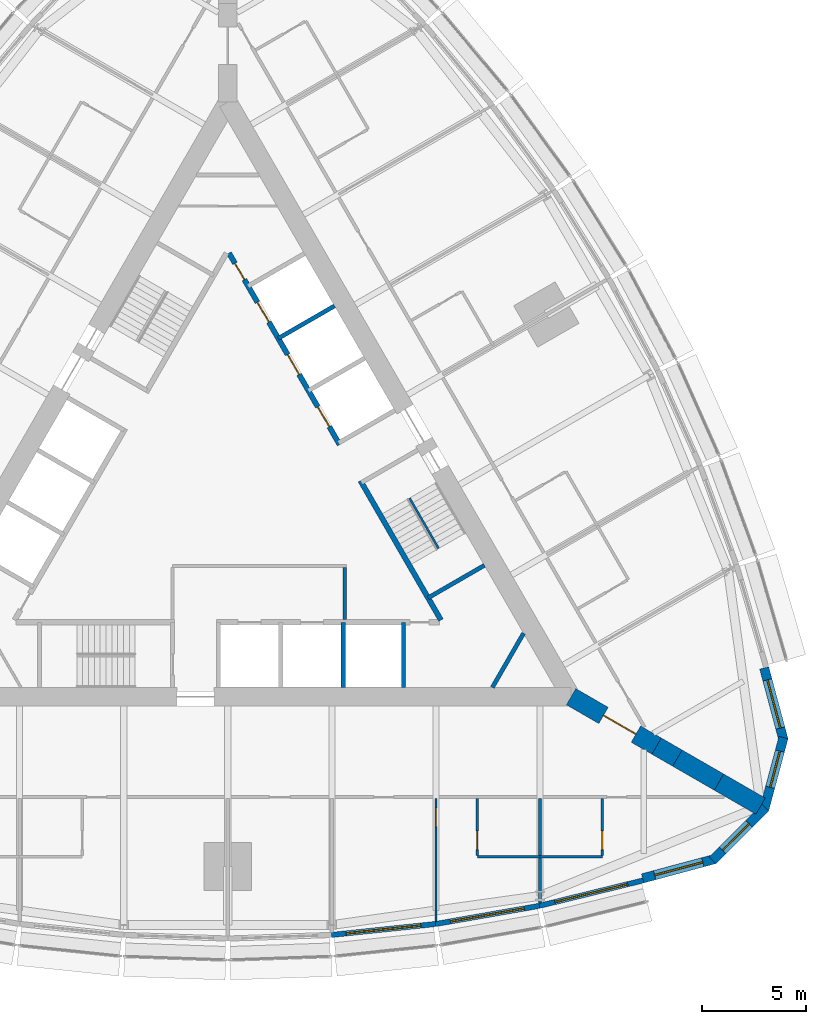
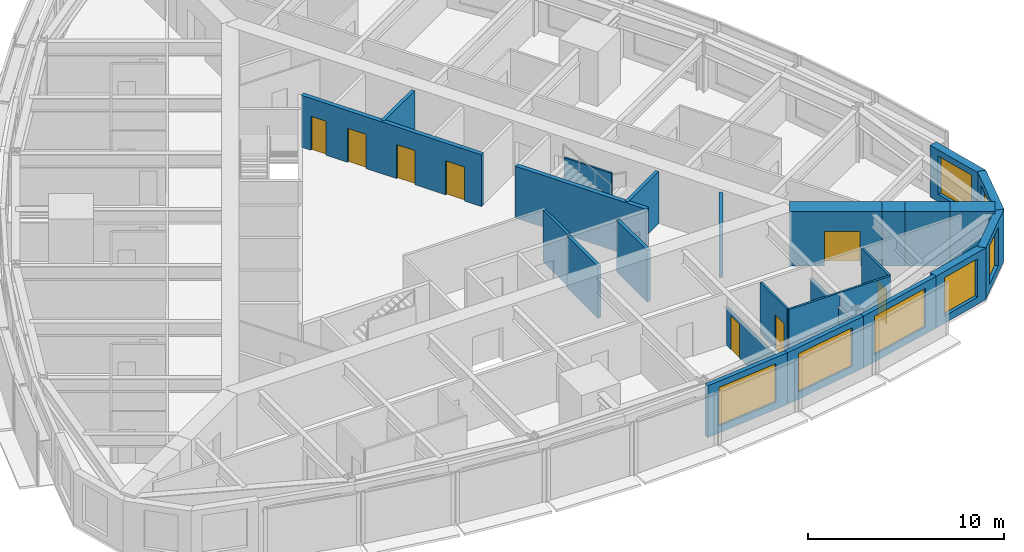
# One storey, part 10 of 14: 26 walls, 8 doors, 7 windows, 15 openings.
"""IFC4 building model written with IfcOpenShell, lengths in metres."""

from ifc_helpers import new_model, si_unit, direction, frame, frame_2d, origin, place, context, subcontext, project, spatial, polyline, rectangle, outline, extrude, material, layer, layer_set, type_object, element, fill, save


model = new_model("IFC4")

# Units and contexts
model_context = context("Model", 3, precision=1e-05, world=origin(), true_north=direction((0.0, 1.0)))
body_context = subcontext(model_context, "Body", "Model", "MODEL_VIEW")
ifc_project = project(units=[si_unit("LENGTHUNIT", "METRE"), si_unit("AREAUNIT", "SQUARE_METRE"), si_unit("VOLUMEUNIT", "CUBIC_METRE"), si_unit("PLANEANGLEUNIT", "RADIAN"), si_unit("MASSUNIT", "GRAM", prefix="KILO")], contexts=[model_context])

# Site, building, storey
site_placement = place(None, origin())
site = spatial("IfcSite", under=ifc_project, at=site_placement, CompositionType="ELEMENT")
building_placement = place(site_placement, origin())
building = spatial("IfcBuilding", under=site, at=building_placement, Name="Trikona Tower", CompositionType="ELEMENT")
storey_placement = place(building_placement, frame((0.0, 0.0, 182.699951171875)))
storey = spatial("IfcBuildingStorey", under=building, at=storey_placement, Name="L49", CompositionType="ELEMENT", Elevation=182.699951171875)

# Wall
ifc_material_1 = material(Name="Metal stud and cement board", Category="gypsum")
ifc_layer_1 = layer(ifc_material_1, 0.1201171875)
ifc_layer_set_1 = layer_set([ifc_layer_1], Name="Bathroom wall 120")
wall_type_1 = type_object("IfcWallType", Name="Bathroom wall 120", PredefinedType="PLUMBINGWALL", material=ifc_layer_set_1)
wall_1_placement = place(storey_placement, frame((12.0, -17.226318359375, 0.0), z_axis=(0.0, 0.0, 1.0), x_axis=(1.0, 0.0, 0.0)))
element("IfcWall", 1, at=wall_1_placement, inside=storey, type_object=wall_type_1, Name="Bathroom wall 4903.1", PredefinedType="PLUMBINGWALL", context=body_context, shape_type="SweptSolid", body=[
    extrude(rectangle(XDim=3.0, YDim=0.1201171875, at=frame_2d((1.5, 0.0))), origin(), (0.0, 0.0, 1.0), 3.235107421875),
])

# Wall, opening, door
wall_2_placement = place(storey_placement, frame((12.0, -14.42626953125, 0.0), z_axis=(0.0, 0.0, 1.0), x_axis=(0.0, -1.0, 0.0)))
wall_2 = element("IfcWall", 2, at=wall_2_placement, inside=storey, type_object=wall_type_1, Name="Bathroom wall 4903.1", PredefinedType="PLUMBINGWALL", context=body_context, shape_type="SweptSolid", body=[
    extrude(rectangle(XDim=2.739990234375, YDim=0.1201171875, at=frame_2d((1.3701171875, 0.0))), origin(), (0.0, 0.0, 1.0), 3.235107421875),
])
opening_1_placement = place(wall_2_placement, frame((1.550048828125, 0.0, 0.0)))
opening_1 = element("IfcOpeningElement", 3, at=opening_1_placement, cuts=wall_2, Name="Opening D2", PredefinedType="OPENING", context=body_context, shape_type="SweptSolid", body=[
    extrude(rectangle(XDim=0.89990234375, YDim=2.1298828125, at=frame_2d((0.449951171875, 1.06494140625))), frame((0.0, 0.070068359375, 0.0), z_axis=(0.0, -1.0, 0.0), x_axis=(1.0, 0.0, 0.0)), (0.0, 0.0, 1.0), 0.14013671875),
])
ifc_material_2 = material(Name="Steel door frame with solid-core timber leaf", Category="steel")
door_type_1 = type_object("IfcDoorType", Name="Bathroom door 900x2130", OperationType="SLIDING_TO_LEFT", PredefinedType="DOOR", material=ifc_material_2)
door_1_placement = place(opening_1_placement, origin())
door_1 = element("IfcDoor", 4, at=door_1_placement, inside=storey, type_object=door_type_1, Name="Bathroom door 4903.1", OperationType="SLIDING_TO_LEFT", OverallHeight=2.1298828125, OverallWidth=0.89990234375, PredefinedType="DOOR", context=body_context, shape_type="SweptSolid", body=[
    extrude(rectangle(XDim=0.89990234375, YDim=2.1298828125, at=frame_2d((0.449951171875, 1.06494140625))), frame((0.0, 0.02490234375, 0.0), z_axis=(0.0, -1.0, 0.0), x_axis=(1.0, 0.0, 0.0)), (0.0, 0.0, 1.0), 0.050048828125),
])
fill(opening_1, door_1)

# Wall
wall_3_placement = place(storey_placement, frame((15.0, -17.226318359375, 0.0), z_axis=(0.0, 0.0, 1.0), x_axis=(1.0, 0.0, 0.0)))
element("IfcWall", 5, at=wall_3_placement, inside=storey, type_object=wall_type_1, Name="Bathroom wall 4904", PredefinedType="PLUMBINGWALL", context=body_context, shape_type="SweptSolid", body=[
    extrude(rectangle(XDim=3.0, YDim=0.1201171875, at=frame_2d((1.5, 0.0))), origin(), (0.0, 0.0, 1.0), 3.235107421875),
])

# Wall, opening, door
wall_4_placement = place(storey_placement, frame((18.0, -14.42626953125, 0.0), z_axis=(0.0, 0.0, 1.0), x_axis=(0.0, -1.0, 0.0)))
wall_4 = element("IfcWall", 6, at=wall_4_placement, inside=storey, type_object=wall_type_1, Name="Bathroom wall 4904", PredefinedType="PLUMBINGWALL", context=body_context, shape_type="SweptSolid", body=[
    extrude(rectangle(XDim=2.739990234375, YDim=0.1201171875, at=frame_2d((1.3701171875, 0.0))), origin(), (0.0, 0.0, 1.0), 3.235107421875),
])
opening_2_placement = place(wall_4_placement, frame((1.550048828125, 0.0, 0.0)))
opening_2 = element("IfcOpeningElement", 7, at=opening_2_placement, cuts=wall_4, Name="Opening D2", PredefinedType="OPENING", context=body_context, shape_type="SweptSolid", body=[
    extrude(rectangle(XDim=0.89990234375, YDim=2.1298828125, at=frame_2d((0.449951171875, 1.06494140625))), frame((0.0, 0.070068359375, 0.0), z_axis=(0.0, -1.0, 0.0), x_axis=(1.0, 0.0, 0.0)), (0.0, 0.0, 1.0), 0.14013671875),
])
door_2_placement = place(opening_2_placement, origin())
door_2 = element("IfcDoor", 8, at=door_2_placement, inside=storey, type_object=door_type_1, Name="Bathroom door 4904", OperationType="SLIDING_TO_LEFT", OverallHeight=2.1298828125, OverallWidth=0.89990234375, PredefinedType="DOOR", context=body_context, shape_type="SweptSolid", body=[
    extrude(rectangle(XDim=0.89990234375, YDim=2.1298828125, at=frame_2d((0.449951171875, 1.06494140625))), frame((0.0, 0.02490234375, 0.0), z_axis=(0.0, -1.0, 0.0), x_axis=(1.0, 0.0, 0.0)), (0.0, 0.0, 1.0), 0.050048828125),
])
fill(opening_2, door_2)

# Wall, opening, window
ifc_material_3 = material(Name="Brick-faced precast concrete", Category="masonry")
ifc_layer_2 = layer(ifc_material_3, 0.449951171875)
ifc_layer_set_2 = layer_set([ifc_layer_2], Name="Brick-faced corner wall 450")
wall_type_2 = type_object("IfcWallType", Name="Brick-faced corner wall 450", PredefinedType="SOLIDWALL", material=ifc_layer_set_2)
wall_5_placement = place(storey_placement, frame((19.94189453125, -18.2578125, 0.0), z_axis=(0.0, 0.0, 1.0), x_axis=(0.965924653531, 0.258823421857, 0.0)))
wall_5 = element("IfcWall", 9, at=wall_5_placement, inside=storey, type_object=wall_type_2, Name="External wall L49-08", PredefinedType="SOLIDWALL", context=body_context, shape_type="SweptSolid", body=[
    extrude(rectangle(XDim=3.58642578125, YDim=0.449951171875, at=frame_2d((1.793212890625, 0.0))), origin(), (0.0, 0.0, 1.0), 3.235107421875),
])
opening_3_placement = place(wall_5_placement, frame((0.593017578125, 0.0, 0.449951171875)))
opening_3 = element("IfcOpeningElement", 10, at=opening_3_placement, cuts=wall_5, Name="Opening W2424", PredefinedType="OPENING", context=body_context, shape_type="SweptSolid", body=[
    extrude(rectangle(XDim=2.39990234375, YDim=2.39990234375, at=frame_2d((1.199951171875, 1.199951171875))), frame((0.0, 0.23486328125, 0.0), z_axis=(0.0, -1.0, 0.0), x_axis=(1.0, 0.0, 0.0)), (0.0, 0.0, 1.0), 0.469970703125),
])
ifc_material_4 = material(Name="Aluminium-framed double glazing", Category="aluminium")
window_type_1 = type_object("IfcWindowType", Name="Window 2400x2400", PartitioningType="SINGLE_PANEL", PredefinedType="WINDOW", material=ifc_material_4)
window_1_placement = place(opening_3_placement, origin())
window_1 = element("IfcWindow", 11, at=window_1_placement, inside=storey, type_object=window_type_1, Name="Window 4904", OverallHeight=2.39990234375, OverallWidth=2.39990234375, PartitioningType="SINGLE_PANEL", PredefinedType="WINDOW", context=body_context, shape_type="SweptSolid", body=[
    extrude(rectangle(XDim=2.39990234375, YDim=2.39990234375, at=frame_2d((1.199951171875, 1.199951171875))), frame((0.0, 0.030029296875, 0.0), z_axis=(0.0, -1.0, 0.0), x_axis=(1.0, 0.0, 0.0)), (0.0, 0.0, 1.0), 0.06005859375),
])
fill(opening_3, window_1)

wall_6_placement = place(storey_placement, frame((23.304931640625, -17.387939453125, 0.0), z_axis=(0.0, 0.0, 1.0), x_axis=(0.707106781187, 0.707106781187, 0.0)))
wall_6 = element("IfcWall", 12, at=wall_6_placement, inside=storey, type_object=wall_type_2, Name="External wall L49-09", PredefinedType="SOLIDWALL", context=body_context, shape_type="SweptSolid", body=[
    extrude(outline(polyline([(3.586181640625, 0.22509765625), (3.527099609375, 0.22509765625), (3.03515625, 0.09326171875), (3.0, 0.22509765625), (0.0, 0.22509765625), (0.0, -0.22509765625), (3.586181640625, -0.22509765625), (3.586181640625, 0.22509765625)])), origin(), (0.0, 0.0, 1.0), 3.235107421875),
])
opening_4_placement = place(wall_6_placement, frame((0.6748046875, 0.0, 0.449951171875)))
opening_4 = element("IfcOpeningElement", 13, at=opening_4_placement, cuts=wall_6, Name="Opening W1824", PredefinedType="OPENING", context=body_context, shape_type="SweptSolid", body=[
    extrude(rectangle(XDim=1.800048828125, YDim=2.39990234375, at=frame_2d((0.89990234375, 1.199951171875))), frame((0.0, 0.23486328125, 0.0), z_axis=(0.0, -1.0, 0.0), x_axis=(1.0, 0.0, 0.0)), (0.0, 0.0, 1.0), 0.469970703125),
])
ifc_material_5 = material(Name="Aluminium-framed double glazing", Category="aluminium")
window_type_2 = type_object("IfcWindowType", Name="Window 1800x2400", PartitioningType="SINGLE_PANEL", PredefinedType="WINDOW", material=ifc_material_5)
window_2_placement = place(opening_4_placement, origin())
window_2 = element("IfcWindow", 14, at=window_2_placement, inside=storey, type_object=window_type_2, Name="Window 4904", OverallHeight=2.39990234375, OverallWidth=1.800048828125, PartitioningType="SINGLE_PANEL", PredefinedType="WINDOW", context=body_context, shape_type="SweptSolid", body=[
    extrude(rectangle(XDim=1.800048828125, YDim=2.39990234375, at=frame_2d((0.89990234375, 1.199951171875))), frame((0.0, 0.030029296875, 0.0), z_axis=(0.0, -1.0, 0.0), x_axis=(1.0, 0.0, 0.0)), (0.0, 0.0, 1.0), 0.06005859375),
])
fill(opening_4, window_2)

wall_7_placement = place(storey_placement, frame((25.78271484375, -14.952880859375, 0.0), z_axis=(0.0, 0.0, 1.0), x_axis=(0.258823421857, 0.965924653531, 0.0)))
wall_7 = element("IfcWall", 15, at=wall_7_placement, inside=storey, type_object=wall_type_2, Name="External wall L49-10", PredefinedType="SOLIDWALL", context=body_context, shape_type="SweptSolid", body=[
    extrude(outline(polyline([(3.58642578125, 0.22509765625), (0.58642578125, 0.22509765625), (0.551025390625, 0.09326171875), (0.0595703125, 0.22509765625), (0.0, 0.22509765625), (0.0, -0.22509765625), (3.58642578125, -0.22509765625), (3.58642578125, 0.22509765625)])), origin(), (0.0, 0.0, 1.0), 3.235107421875),
])
opening_5_placement = place(wall_7_placement, frame((1.111328125, 0.0, 0.449951171875)))
opening_5 = element("IfcOpeningElement", 16, at=opening_5_placement, cuts=wall_7, Name="Opening W1824", PredefinedType="OPENING", context=body_context, shape_type="SweptSolid", body=[
    extrude(rectangle(XDim=1.800048828125, YDim=2.39990234375, at=frame_2d((0.89990234375, 1.199951171875))), frame((0.0, 0.23486328125, 0.0), z_axis=(0.0, -1.0, 0.0), x_axis=(1.0, 0.0, 0.0)), (0.0, 0.0, 1.0), 0.469970703125),
])
window_3_placement = place(opening_5_placement, origin())
window_3 = element("IfcWindow", 17, at=window_3_placement, inside=storey, type_object=window_type_2, Name="Window 4905", OverallHeight=2.39990234375, OverallWidth=1.800048828125, PartitioningType="SINGLE_PANEL", PredefinedType="WINDOW", context=body_context, shape_type="SweptSolid", body=[
    extrude(rectangle(XDim=1.800048828125, YDim=2.39990234375, at=frame_2d((0.89990234375, 1.199951171875))), frame((0.0, 0.030029296875, 0.0), z_axis=(0.0, -1.0, 0.0), x_axis=(1.0, 0.0, 0.0)), (0.0, 0.0, 1.0), 0.06005859375),
])
fill(opening_5, window_3)

wall_8_placement = place(storey_placement, frame((26.7109375, -11.605224609375, 0.0), z_axis=(0.0, 0.0, 1.0), x_axis=(-0.258823421857, 0.965924653531, 0.0)))
wall_8 = element("IfcWall", 18, at=wall_8_placement, inside=storey, type_object=wall_type_2, Name="External wall L49-11", PredefinedType="SOLIDWALL", context=body_context, shape_type="SweptSolid", body=[
    extrude(rectangle(XDim=3.58642578125, YDim=0.449951171875, at=frame_2d((1.793212890625, 0.0))), origin(), (0.0, 0.0, 1.0), 3.235107421875),
])
opening_6_placement = place(wall_8_placement, frame((0.593017578125, 0.0, 0.449951171875)))
opening_6 = element("IfcOpeningElement", 19, at=opening_6_placement, cuts=wall_8, Name="Opening W2424", PredefinedType="OPENING", context=body_context, shape_type="SweptSolid", body=[
    extrude(rectangle(XDim=2.39990234375, YDim=2.39990234375, at=frame_2d((1.199951171875, 1.199951171875))), frame((0.0, 0.23486328125, 0.0), z_axis=(0.0, -1.0, 0.0), x_axis=(1.0, 0.0, 0.0)), (0.0, 0.0, 1.0), 0.469970703125),
])
window_4_placement = place(opening_6_placement, origin())
window_4 = element("IfcWindow", 20, at=window_4_placement, inside=storey, type_object=window_type_1, Name="Window 4905", OverallHeight=2.39990234375, OverallWidth=2.39990234375, PartitioningType="SINGLE_PANEL", PredefinedType="WINDOW", context=body_context, shape_type="SweptSolid", body=[
    extrude(rectangle(XDim=2.39990234375, YDim=2.39990234375, at=frame_2d((1.199951171875, 1.199951171875))), frame((0.0, 0.030029296875, 0.0), z_axis=(0.0, -1.0, 0.0), x_axis=(1.0, 0.0, 0.0)), (0.0, 0.0, 1.0), 0.06005859375),
])
fill(opening_6, window_4)

# Wall, opening, door
ifc_material_6 = material(Name="Concrete f'c 10000 psi", Category="concrete")
ifc_layer_3 = layer(ifc_material_6, 0.89990234375)
ifc_layer_set_3 = layer_set([ifc_layer_3], Name="Buttress wall 900")
wall_type_3 = type_object("IfcWallType", Name="Buttress wall 900", PredefinedType="SHEAR", material=ifc_layer_set_3)
wall_9_placement = place(storey_placement, frame((16.5, -9.5263671875, 0.0), z_axis=(0.0, 0.0, 1.0), x_axis=(0.866031398331, -0.499989616998, 0.0)))
wall_9 = element("IfcWall", 21, at=wall_9_placement, inside=storey, type_object=wall_type_3, Name="Buttress wall 1", PredefinedType="SHEAR", context=body_context, shape_type="SweptSolid", body=[
    extrude(rectangle(XDim=4.74609375, YDim=0.89990234375, at=frame_2d((2.373046875, 0.0))), origin(), (0.0, 0.0, 1.0), 3.400146484375),
])
opening_7_placement = place(wall_9_placement, frame((1.800048828125, 0.0, 0.0)))
opening_7 = element("IfcOpeningElement", 22, at=opening_7_placement, cuts=wall_9, Name="Opening D10", PredefinedType="OPENING", context=body_context, shape_type="SweptSolid", body=[
    extrude(rectangle(XDim=1.800048828125, YDim=2.1298828125, at=frame_2d((0.89990234375, 1.06494140625))), frame((0.0, 0.4599609375, 0.0), z_axis=(0.0, -1.0, 0.0), x_axis=(1.0, 0.0, 0.0)), (0.0, 0.0, 1.0), 0.919921875),
])
ifc_material_7 = material(Name="Hollow metal door and frame", Category="steel")
door_type_2 = type_object("IfcDoorType", Name="Cross-corridor door pair 1800x2130", OperationType="DOUBLE_DOOR_DOUBLE_SWING", PredefinedType="DOOR", material=ifc_material_7)
door_3_placement = place(opening_7_placement, origin())
door_3 = element("IfcDoor", 23, at=door_3_placement, inside=storey, type_object=door_type_2, Name="Cross-corridor door 1", OperationType="DOUBLE_DOOR_DOUBLE_SWING", OverallHeight=2.1298828125, OverallWidth=1.800048828125, PredefinedType="DOOR", context=body_context, shape_type="SweptSolid", body=[
    extrude(rectangle(XDim=1.800048828125, YDim=2.1298828125, at=frame_2d((0.89990234375, 1.06494140625))), frame((0.0, 0.02490234375, 0.0), z_axis=(0.0, -1.0, 0.0), x_axis=(1.0, 0.0, 0.0)), (0.0, 0.0, 1.0), 0.050048828125),
])
fill(opening_7, door_3)

# Walls
wall_10_placement = place(storey_placement, frame((20.6103515625, -11.8994140625, 0.0), z_axis=(0.0, 0.0, 1.0), x_axis=(0.866009537788, -0.500027479704, 0.0)))
element("IfcWall", 24, at=wall_10_placement, inside=storey, type_object=wall_type_3, Name="Buttress wall 1 part 2", PredefinedType="SHEAR", context=body_context, shape_type="SweptSolid", body=[
    extrude(rectangle(XDim=1.15478515625, YDim=0.89990234375, at=frame_2d((0.577392578125, 0.0))), origin(), (0.0, 0.0, 1.0), 3.400146484375),
])
for number, where, z_axis, x_axis, name in (
    (25, (21.6103515625, -12.476806640625, 0.0), (0.0, 0.0, 1.0), (0.866055313784, -0.499948190782, 0.0), "Buttress wall 1 part 3"),
    (26, (23.6103515625, -13.63134765625, 0.0), (0.0, 0.0, 1.0), (0.866009537788, -0.500027479704, 0.0), "Buttress wall 1 part 4"),
):
    element("IfcWall", number, at=place(storey_placement, frame(where, z_axis=z_axis, x_axis=x_axis)), inside=storey, type_object=wall_type_3, Name=name, PredefinedType="SHEAR", context=body_context, shape_type="SweptSolid", body=[
        extrude(rectangle(XDim=2.309326171875, YDim=0.89990234375, at=frame_2d((1.15478515625, 0.0))), origin(), (0.0, 0.0, 1.0), 3.400146484375),
    ])
ifc_material_8 = material(Name="Concrete f'c 8000 psi", Category="concrete")
ifc_layer_4 = layer(ifc_material_8, 0.25)
ifc_layer_set_4 = layer_set([ifc_layer_4], Name="Hub wall 250")
wall_type_4 = type_object("IfcWallType", Name="Hub wall 250", PredefinedType="SOLIDWALL", material=ifc_layer_set_4)
wall_11_placement = place(storey_placement, frame((10.245361328125, -5.843017578125, 0.0), z_axis=(0.0, 0.0, 1.0), x_axis=(-0.499993009313, 0.866029439822, 0.0)))
element("IfcWall", 27, at=wall_11_placement, inside=storey, type_object=wall_type_4, Name="Lift lobby wall B1", PredefinedType="SOLIDWALL", context=body_context, shape_type="SweptSolid", body=[
    extrude(rectangle(XDim=7.73291015625, YDim=0.25, at=frame_2d((3.866455078125, 0.0))), origin(), (0.0, 0.0, 1.0), 3.235107421875),
])

# Wall, openings, doors
wall_12_placement = place(storey_placement, frame((5.37890625, 2.5859375, 0.0), z_axis=(0.0, 0.0, 1.0), x_axis=(-0.500001375892, 0.866024609411, 0.0)))
wall_12 = element("IfcWall", 28, at=wall_12_placement, inside=storey, type_object=wall_type_4, Name="Lift lobby wall B2", PredefinedType="SOLIDWALL", context=body_context, shape_type="SweptSolid", body=[
    extrude(rectangle(XDim=10.6328125, YDim=0.25, at=frame_2d((5.31640625, 0.0))), origin(), (0.0, 0.0, 1.0), 3.235107421875),
])
opening_8_placement = place(wall_12_placement, frame((9.1640625, 0.0, 0.0)))
opening_8 = element("IfcOpeningElement", 29, at=opening_8_placement, cuts=wall_12, Name="Opening D14", PredefinedType="OPENING", context=body_context, shape_type="SweptSolid", body=[
    extrude(rectangle(XDim=0.89990234375, YDim=2.1298828125, at=frame_2d((0.449951171875, 1.06494140625))), frame((0.0, 0.135009765625, 0.0), z_axis=(0.0, -1.0, 0.0), x_axis=(1.0, 0.0, 0.0)), (0.0, 0.0, 1.0), 0.27001953125),
])
opening_9_placement = place(wall_12_placement, frame((1.0, 0.0, 0.0)))
opening_9 = element("IfcOpeningElement", 30, at=opening_9_placement, cuts=wall_12, Name="Opening LD", PredefinedType="OPENING", context=body_context, shape_type="SweptSolid", body=[
    extrude(rectangle(XDim=1.10009765625, YDim=2.1298828125, at=frame_2d((0.550048828125, 1.06494140625))), frame((0.0, 0.135009765625, 0.0), z_axis=(0.0, -1.0, 0.0), x_axis=(1.0, 0.0, 0.0)), (0.0, 0.0, 1.0), 0.27001953125),
])
opening_10_placement = place(wall_12_placement, frame((3.89990234375, 0.0, 0.0)))
opening_10 = element("IfcOpeningElement", 31, at=opening_10_placement, cuts=wall_12, Name="Opening LD", PredefinedType="OPENING", context=body_context, shape_type="SweptSolid", body=[
    extrude(rectangle(XDim=1.10009765625, YDim=2.1298828125, at=frame_2d((0.550048828125, 1.06494140625))), frame((0.0, 0.135009765625, 0.0), z_axis=(0.0, -1.0, 0.0), x_axis=(1.0, 0.0, 0.0)), (0.0, 0.0, 1.0), 0.27001953125),
])
opening_11_placement = place(wall_12_placement, frame((6.800048828125, 0.0, 0.0)))
opening_11 = element("IfcOpeningElement", 32, at=opening_11_placement, cuts=wall_12, Name="Opening LD", PredefinedType="OPENING", context=body_context, shape_type="SweptSolid", body=[
    extrude(rectangle(XDim=1.10009765625, YDim=2.1298828125, at=frame_2d((0.550048828125, 1.06494140625))), frame((0.0, 0.135009765625, 0.0), z_axis=(0.0, -1.0, 0.0), x_axis=(1.0, 0.0, 0.0)), (0.0, 0.0, 1.0), 0.27001953125),
])
ifc_material_9 = material(Name="Stainless steel lift landing door", Category="steel")
door_type_3 = type_object("IfcDoorType", Name="Lift landing door 1100x2130", OperationType="DOUBLE_DOOR_SLIDING", PredefinedType="USERDEFINED", material=ifc_material_9)
door_4_placement = place(opening_9_placement, origin())
door_4 = element("IfcDoor", 33, at=door_4_placement, inside=storey, type_object=door_type_3, Name="Lift landing door L2-1", ObjectType="LIFT LANDING DOOR", OperationType="DOUBLE_DOOR_SLIDING", OverallHeight=2.1298828125, OverallWidth=1.10009765625, PredefinedType="USERDEFINED", context=body_context, shape_type="SweptSolid", body=[
    extrude(rectangle(XDim=1.10009765625, YDim=2.1298828125, at=frame_2d((0.550048828125, 1.06494140625))), frame((0.0, 0.02490234375, 0.0), z_axis=(0.0, -1.0, 0.0), x_axis=(1.0, 0.0, 0.0)), (0.0, 0.0, 1.0), 0.050048828125),
])
fill(opening_9, door_4)
door_5_placement = place(opening_10_placement, origin())
door_5 = element("IfcDoor", 34, at=door_5_placement, inside=storey, type_object=door_type_3, Name="Lift landing door L2-2", ObjectType="LIFT LANDING DOOR", OperationType="DOUBLE_DOOR_SLIDING", OverallHeight=2.1298828125, OverallWidth=1.10009765625, PredefinedType="USERDEFINED", context=body_context, shape_type="SweptSolid", body=[
    extrude(rectangle(XDim=1.10009765625, YDim=2.1298828125, at=frame_2d((0.550048828125, 1.06494140625))), frame((0.0, 0.02490234375, 0.0), z_axis=(0.0, -1.0, 0.0), x_axis=(1.0, 0.0, 0.0)), (0.0, 0.0, 1.0), 0.050048828125),
])
fill(opening_10, door_5)
door_6_placement = place(opening_11_placement, origin())
door_6 = element("IfcDoor", 35, at=door_6_placement, inside=storey, type_object=door_type_3, Name="Lift landing door L2-3", ObjectType="LIFT LANDING DOOR", OperationType="DOUBLE_DOOR_SLIDING", OverallHeight=2.1298828125, OverallWidth=1.10009765625, PredefinedType="USERDEFINED", context=body_context, shape_type="SweptSolid", body=[
    extrude(rectangle(XDim=1.10009765625, YDim=2.1298828125, at=frame_2d((0.550048828125, 1.06494140625))), frame((0.0, 0.02490234375, 0.0), z_axis=(0.0, -1.0, 0.0), x_axis=(1.0, 0.0, 0.0)), (0.0, 0.0, 1.0), 0.050048828125),
])
fill(opening_11, door_6)
ifc_material_10 = material(Name="Hollow metal door and frame", Category="steel")
door_type_4 = type_object("IfcDoorType", Name="Service room door 900x2130", OperationType="SINGLE_SWING_LEFT", PredefinedType="DOOR", material=ifc_material_10)
door_7_placement = place(opening_8_placement, origin())
door_7 = element("IfcDoor", 36, at=door_7_placement, inside=storey, type_object=door_type_4, Name="Door Ice and vending ICE", OperationType="SINGLE_SWING_RIGHT", OverallHeight=2.1298828125, OverallWidth=0.89990234375, PredefinedType="DOOR", context=body_context, shape_type="SweptSolid", body=[
    extrude(rectangle(XDim=0.89990234375, YDim=2.1298828125, at=frame_2d((0.449951171875, 1.06494140625))), frame((0.0, 0.02490234375, 0.0), z_axis=(0.0, -1.0, 0.0), x_axis=(1.0, 0.0, 0.0)), (0.0, 0.0, 1.0), 0.050048828125),
])
fill(opening_8, door_7)

# Wall, opening, window
ifc_material_11 = material(Name="Insulated precast concrete spandrel panel", Category="concrete")
ifc_layer_5 = layer(ifc_material_11, 0.25)
ifc_layer_set_5 = layer_set([ifc_layer_5], Name="Inner skin wall 250")
wall_type_5 = type_object("IfcWallType", Name="Inner skin wall 250", PredefinedType="STANDARD", material=ifc_layer_set_5)
wall_13_placement = place(storey_placement, frame((4.98681640625, -20.975830078125, 0.0), z_axis=(0.0, 0.0, 1.0), x_axis=(0.994534683851, 0.104406717299, 0.0)))
wall_13 = element("IfcWall", 37, at=wall_13_placement, inside=storey, type_object=wall_type_5, Name="External wall L49-05", PredefinedType="STANDARD", context=body_context, shape_type="SweptSolid", body=[
    extrude(rectangle(XDim=5.027587890625, YDim=0.25, at=frame_2d((2.513671875, 0.0))), origin(), (0.0, 0.0, 1.0), 3.235107421875),
])
opening_12_placement = place(wall_13_placement, frame((0.713623046875, 0.0, 0.449951171875)))
opening_12 = element("IfcOpeningElement", 38, at=opening_12_placement, cuts=wall_13, Name="Opening W3624", PredefinedType="OPENING", context=body_context, shape_type="SweptSolid", body=[
    extrude(rectangle(XDim=3.60009765625, YDim=2.39990234375, at=frame_2d((1.800048828125, 1.199951171875))), frame((0.0, 0.135009765625, 0.0), z_axis=(0.0, -1.0, 0.0), x_axis=(1.0, 0.0, 0.0)), (0.0, 0.0, 1.0), 0.27001953125),
])
ifc_material_12 = material(Name="Aluminium-framed double glazing", Category="aluminium")
window_type_3 = type_object("IfcWindowType", Name="Window 3600x2400", PartitioningType="SINGLE_PANEL", PredefinedType="WINDOW", material=ifc_material_12)
window_5_placement = place(opening_12_placement, origin())
window_5 = element("IfcWindow", 39, at=window_5_placement, inside=storey, type_object=window_type_3, Name="Window 4903", OverallHeight=2.39990234375, OverallWidth=3.60009765625, PartitioningType="SINGLE_PANEL", PredefinedType="WINDOW", context=body_context, shape_type="SweptSolid", body=[
    extrude(rectangle(XDim=3.60009765625, YDim=2.39990234375, at=frame_2d((1.800048828125, 1.199951171875))), frame((0.0, 0.030029296875, 0.0), z_axis=(0.0, -1.0, 0.0), x_axis=(1.0, 0.0, 0.0)), (0.0, 0.0, 1.0), 0.06005859375),
])
fill(opening_12, window_5)

wall_14_placement = place(storey_placement, frame((9.978515625, -20.4521484375, 0.0), z_axis=(0.0, 0.0, 1.0), x_axis=(0.985030467156, 0.172380331752, 0.0)))
wall_14 = element("IfcWall", 40, at=wall_14_placement, inside=storey, type_object=wall_type_5, Name="External wall L49-06", PredefinedType="STANDARD", context=body_context, shape_type="SweptSolid", body=[
    extrude(rectangle(XDim=5.075927734375, YDim=0.25, at=frame_2d((2.5380859375, 0.0))), origin(), (0.0, 0.0, 1.0), 3.235107421875),
])
opening_13_placement = place(wall_14_placement, frame((0.738037109375, 0.0, 0.449951171875)))
opening_13 = element("IfcOpeningElement", 41, at=opening_13_placement, cuts=wall_14, Name="Opening W3624", PredefinedType="OPENING", context=body_context, shape_type="SweptSolid", body=[
    extrude(rectangle(XDim=3.60009765625, YDim=2.39990234375, at=frame_2d((1.800048828125, 1.199951171875))), frame((0.0, 0.135009765625, 0.0), z_axis=(0.0, -1.0, 0.0), x_axis=(1.0, 0.0, 0.0)), (0.0, 0.0, 1.0), 0.27001953125),
])
window_6_placement = place(opening_13_placement, origin())
window_6 = element("IfcWindow", 42, at=window_6_placement, inside=storey, type_object=window_type_3, Name="Window 4903.1", OverallHeight=2.39990234375, OverallWidth=3.60009765625, PartitioningType="SINGLE_PANEL", PredefinedType="WINDOW", context=body_context, shape_type="SweptSolid", body=[
    extrude(rectangle(XDim=3.60009765625, YDim=2.39990234375, at=frame_2d((1.800048828125, 1.199951171875))), frame((0.0, 0.030029296875, 0.0), z_axis=(0.0, -1.0, 0.0), x_axis=(1.0, 0.0, 0.0)), (0.0, 0.0, 1.0), 0.06005859375),
])
fill(opening_13, window_6)

wall_15_placement = place(storey_placement, frame((14.97021484375, -19.578857421875, 0.0), z_axis=(0.0, 0.0, 1.0), x_axis=(0.971270024053, 0.237980126011, 0.0)))
wall_15 = element("IfcWall", 43, at=wall_15_placement, inside=storey, type_object=wall_type_5, Name="External wall L49-07", PredefinedType="STANDARD", context=body_context, shape_type="SweptSolid", body=[
    extrude(rectangle(XDim=5.14794921875, YDim=0.25, at=frame_2d((2.573974609375, 0.0))), origin(), (0.0, 0.0, 1.0), 3.235107421875),
])
opening_14_placement = place(wall_15_placement, frame((0.77392578125, 0.0, 0.449951171875)))
opening_14 = element("IfcOpeningElement", 44, at=opening_14_placement, cuts=wall_15, Name="Opening W3624", PredefinedType="OPENING", context=body_context, shape_type="SweptSolid", body=[
    extrude(rectangle(XDim=3.60009765625, YDim=2.39990234375, at=frame_2d((1.800048828125, 1.199951171875))), frame((0.0, 0.135009765625, 0.0), z_axis=(0.0, -1.0, 0.0), x_axis=(1.0, 0.0, 0.0)), (0.0, 0.0, 1.0), 0.27001953125),
])
window_7_placement = place(opening_14_placement, origin())
window_7 = element("IfcWindow", 45, at=window_7_placement, inside=storey, type_object=window_type_3, Name="Window 4904", OverallHeight=2.39990234375, OverallWidth=3.60009765625, PartitioningType="SINGLE_PANEL", PredefinedType="WINDOW", context=body_context, shape_type="SweptSolid", body=[
    extrude(rectangle(XDim=3.60009765625, YDim=2.39990234375, at=frame_2d((1.800048828125, 1.199951171875))), frame((0.0, 0.030029296875, 0.0), z_axis=(0.0, -1.0, 0.0), x_axis=(1.0, 0.0, 0.0)), (0.0, 0.0, 1.0), 0.06005859375),
])
fill(opening_14, window_7)

# Walls
ifc_material_13 = material(Name="Metal stud and gypsum board, 2-hour shaft wall", Category="gypsum")
ifc_layer_6 = layer(ifc_material_13, 0.14990234375)
ifc_layer_set_6 = layer_set([ifc_layer_6], Name="Lobby wall 150")
wall_type_6 = type_object("IfcWallType", Name="Lobby wall 150", PredefinedType="PARTITIONING", material=ifc_layer_set_6)
wall_16_placement = place(storey_placement, frame((5.625, -5.826416015625, 0.0), z_axis=(0.0, 0.0, 1.0), x_axis=(0.0, 1.0, 0.0)))
element("IfcWall", 46, at=wall_16_placement, inside=storey, type_object=wall_type_6, Name="Fire service lift lobby wall 3", PredefinedType="PARTITIONING", context=body_context, shape_type="SweptSolid", body=[
    extrude(rectangle(XDim=2.5, YDim=0.14990234375, at=frame_2d((1.25, 0.0))), origin(), (0.0, 0.0, 1.0), 3.235107421875),
])
ifc_material_14 = material(Name="Metal stud and gypsum board, 1-hour acoustic", Category="gypsum")
ifc_layer_7 = layer(ifc_material_14, 0.14990234375)
ifc_layer_set_7 = layer_set([ifc_layer_7], Name="Party wall 150")
wall_type_7 = type_object("IfcWallType", Name="Party wall 150", PredefinedType="PARTITIONING", material=ifc_layer_set_7)
wall_17_placement = place(storey_placement, frame((15.0, -14.42626953125, 0.0), z_axis=(0.0, 0.0, 1.0), x_axis=(0.0, -1.0, 0.0)))
element("IfcWall", 47, at=wall_17_placement, inside=storey, type_object=wall_type_7, Name="Partition L49 F1 u15", PredefinedType="PARTITIONING", context=body_context, shape_type="SweptSolid", body=[
    extrude(rectangle(XDim=5.0166015625, YDim=0.14990234375, at=frame_2d((2.50830078125, 0.0))), origin(), (0.0, 0.0, 1.0), 2.38916015625),
])
ifc_material_15 = material(Name="Concrete f'c 8000 psi", Category="concrete")
ifc_layer_8 = layer(ifc_material_15, 0.199951171875)
ifc_layer_set_8 = layer_set([ifc_layer_8], Name="Shaft wall 200")
wall_type_8 = type_object("IfcWallType", Name="Shaft wall 200", PredefinedType="SOLIDWALL", material=ifc_layer_set_8)
for number, where, z_axis, x_axis, name in (
    (48, (5.550048828125, -5.951416015625, 0.0), (0.0, 0.0, 1.0), (0.0, -1.0, 0.0), "Shaft wall A5"),
    (49, (8.449951171875, -5.951416015625, 0.0), (0.0, 0.0, 1.0), (0.0, -1.0, 0.0), "Shaft wall A6"),
    (50, (2.428955078125, 7.695556640625, 0.0), (0.0, 0.0, 1.0), (0.866022959057, 0.500004234368, 0.0), "Shaft wall B5"),
):
    element("IfcWall", number, at=place(storey_placement, frame(where, z_axis=z_axis, x_axis=x_axis)), inside=storey, type_object=wall_type_8, Name=name, PredefinedType="SOLIDWALL", context=body_context, shape_type="SweptSolid", body=[
        extrude(rectangle(XDim=3.125, YDim=0.199951171875, at=frame_2d((1.5625, 0.0))), origin(), (0.0, 0.0, 1.0), 3.235107421875),
    ])
wall_18_placement = place(storey_placement, frame((14.219482421875, -6.476318359375, 0.0), z_axis=(0.0, 0.0, 1.0), x_axis=(-0.499952404951, -0.866052881055, 0.0)))
element("IfcWall", 51, at=wall_18_placement, inside=storey, type_object=wall_type_8, Name="Riser wall L49-RS1", PredefinedType="SOLIDWALL", context=body_context, shape_type="SweptSolid", body=[
    extrude(rectangle(XDim=3.002197265625, YDim=0.199951171875, at=frame_2d((1.5009765625, 0.0))), origin(), (0.0, 0.0, 1.0), 3.235107421875),
])
ifc_material_16 = material(Name="Concrete f'c 8000 psi", Category="concrete")
ifc_layer_9 = layer(ifc_material_16, 0.199951171875)
ifc_layer_set_9 = layer_set([ifc_layer_9], Name="Shaft wall 200 load-bearing")
wall_type_9 = type_object("IfcWallType", Name="Shaft wall 200 load-bearing", PredefinedType="SOLIDWALL", material=ifc_layer_set_9)
wall_19_placement = place(storey_placement, frame((9.62890625, -4.775390625, 0.0), z_axis=(0.0, 0.0, 1.0), x_axis=(0.866022959057, 0.500004234368, 0.0)))
element("IfcWall", 52, at=wall_19_placement, inside=storey, type_object=wall_type_9, Name="Shaft wall B1", PredefinedType="SOLIDWALL", context=body_context, shape_type="SweptSolid", body=[
    extrude(rectangle(XDim=3.125, YDim=0.199951171875, at=frame_2d((1.5625, 0.0))), origin(), (0.0, 0.0, 1.0), 3.235107421875),
])
ifc_material_17 = material(Name="Concrete f'c 5000 psi", Category="concrete")
ifc_layer_10 = layer(ifc_material_17, 0.10009765625)
ifc_layer_set_10 = layer_set([ifc_layer_10], Name="Stair spine wall 100")
wall_type_10 = type_object("IfcWallType", Name="Stair spine wall 100", PredefinedType="SOLIDWALL", material=ifc_layer_set_10)
wall_20_placement = place(storey_placement, frame((10.134765625, -2.4013671875, 0.0), z_axis=(0.0, 0.0, 1.0), x_axis=(-0.499992232847, 0.866029888106, 0.0)))
element("IfcWall", 53, at=wall_20_placement, inside=storey, type_object=wall_type_10, Name="Stair B spine wall L49", PredefinedType="SOLIDWALL", context=body_context, shape_type="SweptSolid", body=[
    extrude(rectangle(XDim=2.7939453125, YDim=0.10009765625, at=frame_2d((1.39697265625, 0.0))), origin(), (0.0, 0.0, 1.0), 3.400146484375),
])

# Wall, opening, door
ifc_material_18 = material(Name="Metal stud and gypsum board, acoustic", Category="gypsum")
ifc_layer_11 = layer(ifc_material_18, 0.10009765625)
ifc_layer_set_11 = layer_set([ifc_layer_11], Name="Suite partition 100")
wall_type_11 = type_object("IfcWallType", Name="Suite partition 100", PredefinedType="PARTITIONING", material=ifc_layer_set_11)
wall_21_placement = place(storey_placement, frame((10.0, -14.42626953125, 0.0), z_axis=(0.0, 0.0, 1.0), x_axis=(0.0, -1.0, 0.0)))
wall_21 = element("IfcWall", 54, at=wall_21_placement, inside=storey, type_object=wall_type_11, Name="Suite partition L49 F1 u10", PredefinedType="PARTITIONING", context=body_context, shape_type="SweptSolid", body=[
    extrude(rectangle(XDim=5.89501953125, YDim=0.10009765625, at=frame_2d((2.947509765625, 0.0))), origin(), (0.0, 0.0, 1.0), 2.38916015625),
])
opening_15_placement = place(wall_21_placement, frame((0.449951171875, 0.0, 0.0)))
opening_15 = element("IfcOpeningElement", 55, at=opening_15_placement, cuts=wall_21, Name="Opening D13", PredefinedType="OPENING", context=body_context, shape_type="SweptSolid", body=[
    extrude(rectangle(XDim=0.89990234375, YDim=2.1298828125, at=frame_2d((0.449951171875, 1.06494140625))), frame((0.0, 0.06005859375, 0.0), z_axis=(0.0, -1.0, 0.0), x_axis=(1.0, 0.0, 0.0)), (0.0, 0.0, 1.0), 0.1201171875),
])
ifc_material_19 = material(Name="Steel door frame with solid-core timber leaf", Category="steel")
door_type_5 = type_object("IfcDoorType", Name="Suite door 900x2130", OperationType="SINGLE_SWING_LEFT", PredefinedType="DOOR", material=ifc_material_19)
door_8_placement = place(opening_15_placement, origin())
door_8 = element("IfcDoor", 56, at=door_8_placement, inside=storey, type_object=door_type_5, Name="Suite door 4903", OperationType="SINGLE_SWING_LEFT", OverallHeight=2.1298828125, OverallWidth=0.89990234375, PredefinedType="DOOR", context=body_context, shape_type="SweptSolid", body=[
    extrude(rectangle(XDim=0.89990234375, YDim=2.1298828125, at=frame_2d((0.449951171875, 1.06494140625))), frame((0.0, 0.02490234375, 0.0), z_axis=(0.0, -1.0, 0.0), x_axis=(1.0, 0.0, 0.0)), (0.0, 0.0, 1.0), 0.050048828125),
])
fill(opening_15, door_8)

save(model, "model.ifc")
